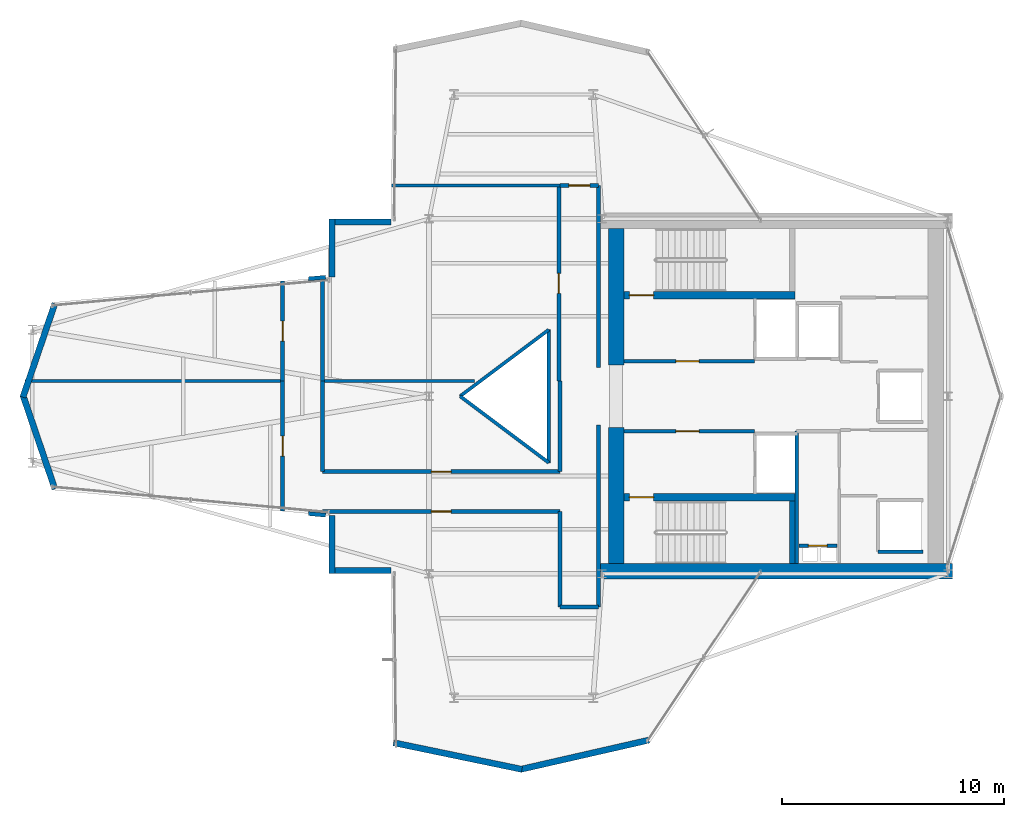
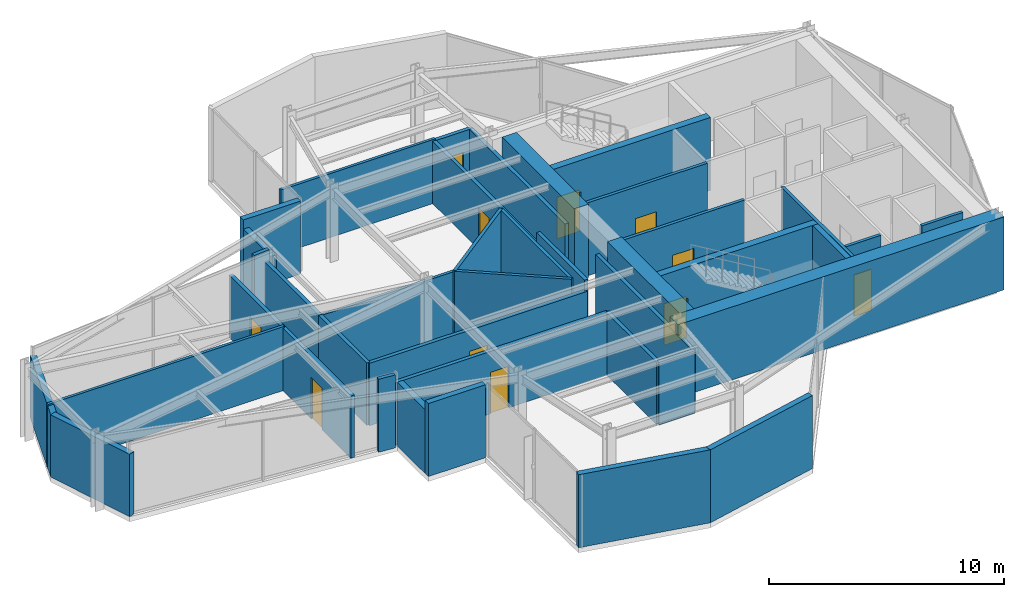
# One storey, part 20 of 22: 40 walls, 11 doors, 11 openings.
"""IFC4 building model written with IfcOpenShell, lengths in metres."""

from ifc_helpers import new_model, si_unit, direction, frame, frame_2d, origin, place, context, subcontext, project, spatial, rectangle, extrude, material, layer, layer_set, type_object, element, fill, save


model = new_model("IFC4")

# Units and contexts
model_context = context("Model", 3, precision=1e-05, world=origin(), true_north=direction((0.0, 1.0)))
body_context = subcontext(model_context, "Body", "Model", "MODEL_VIEW")
ifc_project = project(units=[si_unit("LENGTHUNIT", "METRE"), si_unit("AREAUNIT", "SQUARE_METRE"), si_unit("VOLUMEUNIT", "CUBIC_METRE"), si_unit("PLANEANGLEUNIT", "RADIAN"), si_unit("MASSUNIT", "GRAM", prefix="KILO")], contexts=[model_context])

# Site, building, storey
site_placement = place(None, origin())
site = spatial("IfcSite", under=ifc_project, at=site_placement, CompositionType="ELEMENT")
building_placement = place(site_placement, origin())
building = spatial("IfcBuilding", under=site, at=building_placement, Name="Veymaron Broadcast Tower", CompositionType="ELEMENT")
storey_placement = place(building_placement, frame((0.0, 0.0, 208.050048828125)))
storey = spatial("IfcBuildingStorey", under=building, at=storey_placement, Name="L48", CompositionType="ELEMENT", Elevation=208.050048828125)

# Walls
ifc_material_1 = material(Name="Precast concrete C40/50", Category="concrete")
ifc_layer_1 = layer(ifc_material_1, 0.280029296875)
ifc_layer_set_1 = layer_set([ifc_layer_1], Name="Precast concrete C40/50")
wall_type_1 = type_object("IfcWallType", Name="WALL-EXT-280", PredefinedType="STANDARD", material=ifc_layer_set_1)
wall_1_placement = place(storey_placement, frame((29.489013671875, 31.860107421875, 0.0), z_axis=(0.0, 0.0, 1.0), x_axis=(-1.0, 0.0, 0.0)))
element("IfcWall", 1, at=wall_1_placement, inside=storey, type_object=wall_type_1, Name="L48 notched corner facade pier 9-1", PredefinedType="STANDARD", context=body_context, shape_type="SweptSolid", body=[
    extrude(rectangle(XDim=2.80908203125, YDim=0.280029296875, at=frame_2d((1.404541015625, 0.0))), origin(), (0.0, 0.0, 1.0), 3.7900390625),
])
wall_2_placement = place(storey_placement, frame((26.820068359375, 32.0, 0.0), z_axis=(0.0, 0.0, 1.0), x_axis=(0.0, -1.0, 0.0)))
element("IfcWall", 2, at=wall_2_placement, inside=storey, type_object=wall_type_1, Name="L48 notched corner facade pier 10-1", PredefinedType="STANDARD", context=body_context, shape_type="SweptSolid", body=[
    extrude(rectangle(XDim=2.622314453125, YDim=0.280029296875, at=frame_2d((1.31103515625, 0.0))), origin(), (0.0, 0.0, 1.0), 3.31884765625),
])
for number, where, z_axis, x_axis, name in (
    (3, (14.33251953125, 28.181884765625, 0.0), (0.0, 0.0, 1.0), (-0.322453512009, -0.946585301277, 0.0), "L48 notched corner facade pier 12-1"),
    (4, (12.892578125, 24.045166015625, 0.0), (0.0, 0.0, 1.0), (0.322453512009, -0.946585301277, 0.0), "L48 notched corner facade pier 13-1"),
):
    element("IfcWall", number, at=place(storey_placement, frame(where, z_axis=z_axis, x_axis=x_axis)), inside=storey, type_object=wall_type_1, Name=name, PredefinedType="STANDARD", context=body_context, shape_type="SweptSolid", body=[
        extrude(rectangle(XDim=4.465576171875, YDim=0.280029296875, at=frame_2d((2.23291015625, 0.0))), origin(), (0.0, 0.0, 1.0), 3.240966796875),
    ])
wall_3_placement = place(storey_placement, frame((26.820068359375, 18.622314453125, 0.0), z_axis=(0.0, 0.0, 1.0), x_axis=(0.0, -1.0, 0.0)))
element("IfcWall", 5, at=wall_3_placement, inside=storey, type_object=wall_type_1, Name="L48 notched corner facade pier 15-1", PredefinedType="STANDARD", context=body_context, shape_type="SweptSolid", body=[
    extrude(rectangle(XDim=2.622314453125, YDim=0.280029296875, at=frame_2d((1.31103515625, 0.0))), origin(), (0.0, 0.0, 1.0), 3.31884765625),
])
wall_4_placement = place(storey_placement, frame((26.679931640625, 16.139892578125, 0.0), z_axis=(0.0, 0.0, 1.0), x_axis=(1.0, 0.0, 0.0)))
element("IfcWall", 6, at=wall_4_placement, inside=storey, type_object=wall_type_1, Name="L48 notched corner facade pier 16-1", PredefinedType="STANDARD", context=body_context, shape_type="SweptSolid", body=[
    extrude(rectangle(XDim=2.80908203125, YDim=0.280029296875, at=frame_2d((1.404541015625, 0.0))), origin(), (0.0, 0.0, 1.0), 3.7900390625),
])
wall_5_placement = place(storey_placement, frame((29.60400390625, 8.377197265625, 0.0), z_axis=(0.0, 0.0, 1.0), x_axis=(0.979145472124, -0.203160390873, 0.0)))
element("IfcWall", 7, at=wall_5_placement, inside=storey, type_object=wall_type_1, Name="L48 notched corner facade pier 18-1", PredefinedType="STANDARD", context=body_context, shape_type="SweptSolid", body=[
    extrude(rectangle(XDim=5.90771484375, YDim=0.280029296875, at=frame_2d((2.953857421875, 0.0))), origin(), (0.0, 0.0, 1.0), 3.7900390625),
])
wall_6_placement = place(storey_placement, frame((35.328857421875, 7.176513671875, 0.0), z_axis=(0.0, 0.0, 1.0), x_axis=(0.974934808954, 0.222490715064, 0.0)))
element("IfcWall", 8, at=wall_6_placement, inside=storey, type_object=wall_type_1, Name="L48 notched corner facade pier 19-1", PredefinedType="STANDARD", context=body_context, shape_type="SweptSolid", body=[
    extrude(rectangle(XDim=5.93310546875, YDim=0.280029296875, at=frame_2d((2.966552734375, 0.0))), origin(), (0.0, 0.0, 1.0), 3.7900390625),
])

# Wall, opening, door
ifc_material_2 = material(Name="Gypsum fireboard and steel stud framing", Category="steel")
ifc_layer_2 = layer(ifc_material_2, 0.14990234375)
ifc_layer_set_2 = layer_set([ifc_layer_2], Name="Gypsum fireboard and steel stud framing")
wall_type_2 = type_object("IfcWallType", Name="WALL-FIRE-150", PredefinedType="PARTITIONING", material=ifc_layer_set_2)
wall_7_placement = place(storey_placement, frame((39.97998046875, 25.574951171875, 0.0), z_axis=(0.0, 0.0, 1.0), x_axis=(1.0, 0.0, 0.0)))
wall_7 = element("IfcWall", 9, at=wall_7_placement, inside=storey, type_object=wall_type_2, Name="L48 partition IW-L48-FFLN-S", PredefinedType="PARTITIONING", context=body_context, shape_type="SweptSolid", body=[
    extrude(rectangle(XDim=5.89990234375, YDim=0.14990234375, at=frame_2d((2.949951171875, 0.0))), origin(), (0.0, 0.0, 1.0), 3.7900390625),
])
opening_1_placement = place(wall_7_placement, frame((2.35009765625, 0.0, 0.0)))
opening_1 = element("IfcOpeningElement", 10, at=opening_1_placement, cuts=wall_7, Name="Opening ID-FL1", PredefinedType="OPENING", context=body_context, shape_type="SweptSolid", body=[
    extrude(rectangle(XDim=1.050048828125, YDim=2.14990234375, at=frame_2d((0.52490234375, 1.074951171875))), frame((0.0, 0.0849609375, 0.0), z_axis=(0.0, -1.0, 0.0), x_axis=(1.0, 0.0, 0.0)), (0.0, 0.0, 1.0), 0.169921875),
])
ifc_material_3 = material(Name="Fire-rated painted hollow steel ASTM A653", Category="steel")
door_type_1 = type_object("IfcDoorType", Name="DOOR-FIRE-1050", OperationType="NOTDEFINED", PredefinedType="DOOR", material=ifc_material_3)
door_1_placement = place(opening_1_placement, origin())
door_1 = element("IfcDoor", 11, at=door_1_placement, inside=storey, type_object=door_type_1, Name="L48 door DR-L48-FFLN", OperationType="SINGLE_SWING_LEFT", OverallHeight=2.14990234375, OverallWidth=1.050048828125, PredefinedType="DOOR", context=body_context, shape_type="SweptSolid", body=[
    extrude(rectangle(XDim=1.050048828125, YDim=2.14990234375, at=frame_2d((0.52490234375, 1.074951171875))), frame((0.0, 0.02490234375, 0.0), z_axis=(0.0, -1.0, 0.0), x_axis=(1.0, 0.0, 0.0)), (0.0, 0.0, 1.0), 0.050048828125),
])
fill(opening_1, door_1)

wall_8_placement = place(storey_placement, frame((39.97998046875, 22.425048828125, 0.0), z_axis=(0.0, 0.0, 1.0), x_axis=(1.0, 0.0, 0.0)))
wall_8 = element("IfcWall", 12, at=wall_8_placement, inside=storey, type_object=wall_type_2, Name="L48 partition IW-L48-FFLS-N", PredefinedType="PARTITIONING", context=body_context, shape_type="SweptSolid", body=[
    extrude(rectangle(XDim=5.89990234375, YDim=0.14990234375, at=frame_2d((2.949951171875, 0.0))), origin(), (0.0, 0.0, 1.0), 3.7900390625),
])
opening_2_placement = place(wall_8_placement, frame((2.35009765625, 0.0, 0.0)))
opening_2 = element("IfcOpeningElement", 13, at=opening_2_placement, cuts=wall_8, Name="Opening ID-FL1", PredefinedType="OPENING", context=body_context, shape_type="SweptSolid", body=[
    extrude(rectangle(XDim=1.050048828125, YDim=2.14990234375, at=frame_2d((0.52490234375, 1.074951171875))), frame((0.0, 0.0849609375, 0.0), z_axis=(0.0, -1.0, 0.0), x_axis=(1.0, 0.0, 0.0)), (0.0, 0.0, 1.0), 0.169921875),
])
door_2_placement = place(opening_2_placement, frame((1.050048828125, 0.0, 0.0), z_axis=(0.0, 0.0, 1.0), x_axis=(-1.0, 0.0, 0.0)))
door_2 = element("IfcDoor", 14, at=door_2_placement, inside=storey, type_object=door_type_1, Name="L48 door DR-L48-FFLS", OperationType="SINGLE_SWING_RIGHT", OverallHeight=2.14990234375, OverallWidth=1.050048828125, PredefinedType="DOOR", context=body_context, shape_type="SweptSolid", body=[
    extrude(rectangle(XDim=1.050048828125, YDim=2.14990234375, at=frame_2d((0.52490234375, 1.074951171875))), frame((0.0, 0.02490234375, 0.0), z_axis=(0.0, -1.0, 0.0), x_axis=(1.0, 0.0, 0.0)), (0.0, 0.0, 1.0), 0.050048828125),
])
fill(opening_2, door_2)

# Wall
wall_9_placement = place(storey_placement, frame((51.445068359375, 16.989990234375, 0.0), z_axis=(0.0, 0.0, 1.0), x_axis=(1.0, 0.0, 0.0)))
element("IfcWall", 15, at=wall_9_placement, inside=storey, type_object=wall_type_2, Name="L48 partition IW-L48-SHS-PH1", PredefinedType="PARTITIONING", context=body_context, shape_type="SweptSolid", body=[
    extrude(rectangle(XDim=2.014892578125, YDim=0.14990234375, at=frame_2d((1.00732421875, 0.0))), origin(), (0.0, 0.0, 1.0), 3.7900390625),
])

# Wall, opening, door
wall_10_placement = place(storey_placement, frame((47.8798828125, 17.260009765625, 0.0), z_axis=(0.0, 0.0, 1.0), x_axis=(1.0, 0.0, 0.0)))
wall_10 = element("IfcWall", 16, at=wall_10_placement, inside=storey, type_object=wall_type_2, Name="L48 partition IW-L48-RIS-N", PredefinedType="PARTITIONING", context=body_context, shape_type="SweptSolid", body=[
    extrude(rectangle(XDim=1.72021484375, YDim=0.14990234375, at=frame_2d((0.860107421875, 0.0))), origin(), (0.0, 0.0, 1.0), 3.7900390625),
])
opening_3_placement = place(wall_10_placement, frame((0.419921875, 0.0, 0.0)))
opening_3 = element("IfcOpeningElement", 17, at=opening_3_placement, cuts=wall_10, Name="Opening ID-RS1", PredefinedType="OPENING", context=body_context, shape_type="SweptSolid", body=[
    extrude(rectangle(XDim=0.85009765625, YDim=2.14990234375, at=frame_2d((0.425048828125, 1.074951171875))), frame((0.0, 0.0849609375, 0.0), z_axis=(0.0, -1.0, 0.0), x_axis=(1.0, 0.0, 0.0)), (0.0, 0.0, 1.0), 0.169921875),
])
ifc_material_4 = material(Name="Fire-rated powder-coated steel riser leaf", Category="steel")
door_type_2 = type_object("IfcDoorType", Name="DOOR-RIS-850", OperationType="NOTDEFINED", PredefinedType="TRAPDOOR", material=ifc_material_4)
door_3_placement = place(opening_3_placement, origin())
door_3 = element("IfcDoor", 18, at=door_3_placement, inside=storey, type_object=door_type_2, Name="L48 door DR-L48-RIS", OperationType="SINGLE_SWING_LEFT", OverallHeight=2.14990234375, OverallWidth=0.85009765625, PredefinedType="TRAPDOOR", context=body_context, shape_type="SweptSolid", body=[
    extrude(rectangle(XDim=0.85009765625, YDim=2.14990234375, at=frame_2d((0.425048828125, 1.074951171875))), frame((0.0, 0.02490234375, 0.0), z_axis=(0.0, -1.0, 0.0), x_axis=(1.0, 0.0, 0.0)), (0.0, 0.0, 1.0), 0.050048828125),
])
fill(opening_3, door_3)

# Wall
wall_11_placement = place(storey_placement, frame((47.780029296875, 16.449951171875, 0.0), z_axis=(0.0, 0.0, 1.0), x_axis=(0.0, 1.0, 0.0)))
element("IfcWall", 19, at=wall_11_placement, inside=storey, type_object=wall_type_2, Name="L48 partition IW-L48-SM-W", PredefinedType="PARTITIONING", context=body_context, shape_type="SweptSolid", body=[
    extrude(rectangle(XDim=5.97509765625, YDim=0.14990234375, at=frame_2d((2.987548828125, 0.0))), origin(), (0.0, 0.0, 1.0), 3.7900390625),
])

# Wall, opening, door
ifc_material_5 = material(Name="Concrete C40/50", Category="concrete")
ifc_layer_3 = layer(ifc_material_5, 0.179931640625)
ifc_layer_set_3 = layer_set([ifc_layer_3], Name="Concrete C40/50")
wall_type_3 = type_object("IfcWallType", Name="WALL-FIRE-180", PredefinedType="SOLIDWALL", material=ifc_layer_set_3)
wall_12_placement = place(storey_placement, frame((26.39990234375, 18.800048828125, 0.0), z_axis=(0.0, 0.0, 1.0), x_axis=(1.0, 0.0, 0.0)))
wall_12 = element("IfcWall", 20, at=wall_12_placement, inside=storey, type_object=wall_type_3, Name="L48 partition IW-L48-P01", PredefinedType="SOLIDWALL", context=body_context, shape_type="SweptSolid", body=[
    extrude(rectangle(XDim=10.7001953125, YDim=0.179931640625, at=frame_2d((5.35009765625, 0.0))), origin(), (0.0, 0.0, 1.0), 3.240966796875),
])
opening_4_placement = place(wall_12_placement, frame((4.89990234375, 0.0, 0.0)))
opening_4 = element("IfcOpeningElement", 21, at=opening_4_placement, cuts=wall_12, Name="Opening ID-RM2", PredefinedType="OPENING", context=body_context, shape_type="SweptSolid", body=[
    extrude(rectangle(XDim=0.89990234375, YDim=2.14990234375, at=frame_2d((0.449951171875, 1.074951171875))), frame((0.0, 0.10009765625, 0.0), z_axis=(0.0, -1.0, 0.0), x_axis=(1.0, 0.0, 0.0)), (0.0, 0.0, 1.0), 0.199951171875),
])
ifc_material_6 = material(Name="Acoustic solid-core European oak veneer timber", Category="wood")
door_type_3 = type_object("IfcDoorType", Name="DOOR-INT-900", OperationType="NOTDEFINED", PredefinedType="DOOR", material=ifc_material_6)
door_4_placement = place(opening_4_placement, frame((0.89990234375, 0.0, 0.0), z_axis=(0.0, 0.0, 1.0), x_axis=(-1.0, 0.0, 0.0)))
door_4 = element("IfcDoor", 22, at=door_4_placement, inside=storey, type_object=door_type_3, Name="L48 door DR-L48-P01", OperationType="SINGLE_SWING_RIGHT", OverallHeight=2.14990234375, OverallWidth=0.89990234375, PredefinedType="DOOR", context=body_context, shape_type="SweptSolid", body=[
    extrude(rectangle(XDim=0.89990234375, YDim=2.14990234375, at=frame_2d((0.449951171875, 1.074951171875))), frame((0.0, 0.02490234375, 0.0), z_axis=(0.0, -1.0, 0.0), x_axis=(1.0, 0.0, 0.0)), (0.0, 0.0, 1.0), 0.050048828125),
])
fill(opening_4, door_4)

wall_13_placement = place(storey_placement, frame((24.60009765625, 18.814208984375, 0.0), z_axis=(0.0, 0.0, 1.0), x_axis=(0.0, 1.0, 0.0)))
wall_13 = element("IfcWall", 23, at=wall_13_placement, inside=storey, type_object=wall_type_3, Name="L48 partition IW-L48-P06", PredefinedType="SOLIDWALL", context=body_context, shape_type="SweptSolid", body=[
    extrude(rectangle(XDim=5.86376953125, YDim=0.179931640625, at=frame_2d((2.931884765625, 0.0))), origin(), (0.0, 0.0, 1.0), 3.240966796875),
])
opening_5_placement = place(wall_13_placement, frame((2.48193359375, 0.0, 0.0)))
opening_5 = element("IfcOpeningElement", 24, at=opening_5_placement, cuts=wall_13, Name="Opening ID-RM2", PredefinedType="OPENING", context=body_context, shape_type="SweptSolid", body=[
    extrude(rectangle(XDim=0.89990234375, YDim=2.14990234375, at=frame_2d((0.449951171875, 1.074951171875))), frame((0.0, 0.10009765625, 0.0), z_axis=(0.0, -1.0, 0.0), x_axis=(1.0, 0.0, 0.0)), (0.0, 0.0, 1.0), 0.199951171875),
])
door_5_placement = place(opening_5_placement, origin())
door_5 = element("IfcDoor", 25, at=door_5_placement, inside=storey, type_object=door_type_3, Name="L48 door DR-L48-P06", OperationType="SINGLE_SWING_LEFT", OverallHeight=2.14990234375, OverallWidth=0.89990234375, PredefinedType="DOOR", context=body_context, shape_type="SweptSolid", body=[
    extrude(rectangle(XDim=0.89990234375, YDim=2.14990234375, at=frame_2d((0.449951171875, 1.074951171875))), frame((0.0, 0.02490234375, 0.0), z_axis=(0.0, -1.0, 0.0), x_axis=(1.0, 0.0, 0.0)), (0.0, 0.0, 1.0), 0.050048828125),
])
fill(opening_5, door_5)

wall_14_placement = place(storey_placement, frame((26.39990234375, 20.60009765625, 0.0), z_axis=(0.0, 0.0, 1.0), x_axis=(1.0, 0.0, 0.0)))
wall_14 = element("IfcWall", 26, at=wall_14_placement, inside=storey, type_object=wall_type_3, Name="L48 partition IW-L48-P07", PredefinedType="SOLIDWALL", context=body_context, shape_type="SweptSolid", body=[
    extrude(rectangle(XDim=10.7001953125, YDim=0.179931640625, at=frame_2d((5.35009765625, 0.0))), origin(), (0.0, 0.0, 1.0), 3.240966796875),
])
opening_6_placement = place(wall_14_placement, frame((4.89990234375, 0.0, 0.0)))
opening_6 = element("IfcOpeningElement", 27, at=opening_6_placement, cuts=wall_14, Name="Opening ID-RM2", PredefinedType="OPENING", context=body_context, shape_type="SweptSolid", body=[
    extrude(rectangle(XDim=0.89990234375, YDim=2.14990234375, at=frame_2d((0.449951171875, 1.074951171875))), frame((0.0, 0.10009765625, 0.0), z_axis=(0.0, -1.0, 0.0), x_axis=(1.0, 0.0, 0.0)), (0.0, 0.0, 1.0), 0.199951171875),
])
door_6_placement = place(opening_6_placement, origin())
door_6 = element("IfcDoor", 28, at=door_6_placement, inside=storey, type_object=door_type_3, Name="L48 door DR-L48-P07", OperationType="SINGLE_SWING_RIGHT", OverallHeight=2.14990234375, OverallWidth=0.89990234375, PredefinedType="DOOR", context=body_context, shape_type="SweptSolid", body=[
    extrude(rectangle(XDim=0.89990234375, YDim=2.14990234375, at=frame_2d((0.449951171875, 1.074951171875))), frame((0.0, 0.02490234375, 0.0), z_axis=(0.0, -1.0, 0.0), x_axis=(1.0, 0.0, 0.0)), (0.0, 0.0, 1.0), 0.050048828125),
])
fill(opening_6, door_6)

wall_15_placement = place(storey_placement, frame((24.60009765625, 24.677978515625, 0.0), z_axis=(0.0, 0.0, 1.0), x_axis=(0.0, 1.0, 0.0)))
wall_15 = element("IfcWall", 29, at=wall_15_placement, inside=storey, type_object=wall_type_3, Name="L48 partition IW-L48-P10", PredefinedType="SOLIDWALL", context=body_context, shape_type="SweptSolid", body=[
    extrude(rectangle(XDim=4.5078125, YDim=0.179931640625, at=frame_2d((2.25390625, 0.0))), origin(), (0.0, 0.0, 1.0), 3.240966796875),
])
opening_7_placement = place(wall_15_placement, frame((1.803955078125, 0.0, 0.0)))
opening_7 = element("IfcOpeningElement", 30, at=opening_7_placement, cuts=wall_15, Name="Opening ID-RM2", PredefinedType="OPENING", context=body_context, shape_type="SweptSolid", body=[
    extrude(rectangle(XDim=0.89990234375, YDim=2.14990234375, at=frame_2d((0.449951171875, 1.074951171875))), frame((0.0, 0.10009765625, 0.0), z_axis=(0.0, -1.0, 0.0), x_axis=(1.0, 0.0, 0.0)), (0.0, 0.0, 1.0), 0.199951171875),
])
door_7_placement = place(opening_7_placement, origin())
door_7 = element("IfcDoor", 31, at=door_7_placement, inside=storey, type_object=door_type_3, Name="L48 door DR-L48-P10", OperationType="SINGLE_SWING_LEFT", OverallHeight=2.14990234375, OverallWidth=0.89990234375, PredefinedType="DOOR", context=body_context, shape_type="SweptSolid", body=[
    extrude(rectangle(XDim=0.89990234375, YDim=2.14990234375, at=frame_2d((0.449951171875, 1.074951171875))), frame((0.0, 0.02490234375, 0.0), z_axis=(0.0, -1.0, 0.0), x_axis=(1.0, 0.0, 0.0)), (0.0, 0.0, 1.0), 0.050048828125),
])
fill(opening_7, door_7)

wall_16_placement = place(storey_placement, frame((37.050048828125, 24.677978515625, 0.0), z_axis=(0.0, 0.0, 1.0), x_axis=(0.0, 1.0, 0.0)))
wall_16 = element("IfcWall", 32, at=wall_16_placement, inside=storey, type_object=wall_type_3, Name="L48 partition IW-L48-P11", PredefinedType="SOLIDWALL", context=body_context, shape_type="SweptSolid", body=[
    extrude(rectangle(XDim=8.820068359375, YDim=0.179931640625, at=frame_2d((4.41015625, 0.0))), origin(), (0.0, 0.0, 1.0), 3.240966796875),
])
opening_8_placement = place(wall_16_placement, frame((3.9599609375, 0.0, 0.0)))
opening_8 = element("IfcOpeningElement", 33, at=opening_8_placement, cuts=wall_16, Name="Opening ID-RM2", PredefinedType="OPENING", context=body_context, shape_type="SweptSolid", body=[
    extrude(rectangle(XDim=0.89990234375, YDim=2.14990234375, at=frame_2d((0.449951171875, 1.074951171875))), frame((0.0, 0.10009765625, 0.0), z_axis=(0.0, -1.0, 0.0), x_axis=(1.0, 0.0, 0.0)), (0.0, 0.0, 1.0), 0.199951171875),
])
door_8_placement = place(opening_8_placement, origin())
door_8 = element("IfcDoor", 34, at=door_8_placement, inside=storey, type_object=door_type_3, Name="L48 door DR-L48-P11", OperationType="SINGLE_SWING_RIGHT", OverallHeight=2.14990234375, OverallWidth=0.89990234375, PredefinedType="DOOR", context=body_context, shape_type="SweptSolid", body=[
    extrude(rectangle(XDim=0.89990234375, YDim=2.14990234375, at=frame_2d((0.449951171875, 1.074951171875))), frame((0.0, 0.02490234375, 0.0), z_axis=(0.0, -1.0, 0.0), x_axis=(1.0, 0.0, 0.0)), (0.0, 0.0, 1.0), 0.050048828125),
])
fill(opening_8, door_8)

wall_17_placement = place(storey_placement, frame((37.10009765625, 33.5, 0.0), z_axis=(0.0, 0.0, 1.0), x_axis=(1.0, 0.0, 0.0)))
wall_17 = element("IfcWall", 35, at=wall_17_placement, inside=storey, type_object=wall_type_3, Name="L48 partition IW-L48-P15", PredefinedType="SOLIDWALL", context=body_context, shape_type="SweptSolid", body=[
    extrude(rectangle(XDim=1.75, YDim=0.179931640625, at=frame_2d((0.875, 0.0))), origin(), (0.0, 0.0, 1.0), 3.240966796875),
])
opening_9_placement = place(wall_17_placement, frame((0.39990234375, 0.0, 0.0)))
opening_9 = element("IfcOpeningElement", 36, at=opening_9_placement, cuts=wall_17, Name="Opening ID-RM1", PredefinedType="OPENING", context=body_context, shape_type="SweptSolid", body=[
    extrude(rectangle(XDim=0.949951171875, YDim=2.14990234375, at=frame_2d((0.47509765625, 1.074951171875))), frame((0.0, 0.10009765625, 0.0), z_axis=(0.0, -1.0, 0.0), x_axis=(1.0, 0.0, 0.0)), (0.0, 0.0, 1.0), 0.199951171875),
])
door_type_4 = type_object("IfcDoorType", Name="DOOR-INT-950", OperationType="NOTDEFINED", PredefinedType="DOOR", material=ifc_material_6)
door_9_placement = place(opening_9_placement, origin())
door_9 = element("IfcDoor", 37, at=door_9_placement, inside=storey, type_object=door_type_4, Name="L48 door DR-L48-P15", OperationType="SINGLE_SWING_RIGHT", OverallHeight=2.14990234375, OverallWidth=0.949951171875, PredefinedType="DOOR", context=body_context, shape_type="SweptSolid", body=[
    extrude(rectangle(XDim=0.949951171875, YDim=2.14990234375, at=frame_2d((0.47509765625, 1.074951171875))), frame((0.0, 0.02490234375, 0.0), z_axis=(0.0, -1.0, 0.0), x_axis=(1.0, 0.0, 0.0)), (0.0, 0.0, 1.0), 0.050048828125),
])
fill(opening_9, door_9)

# Walls
wall_18_placement = place(storey_placement, frame((38.85009765625, 14.5, 0.0), z_axis=(0.0, 0.0, 1.0), x_axis=(0.0, 1.0, 0.0)))
element("IfcWall", 38, at=wall_18_placement, inside=storey, type_object=wall_type_3, Name="L48 partition IW-L48-P02", PredefinedType="SOLIDWALL", context=body_context, shape_type="SweptSolid", body=[
    extrude(rectangle(XDim=8.199951171875, YDim=0.179931640625, at=frame_2d((4.10009765625, 0.0))), origin(), (0.0, 0.0, 1.0), 3.240966796875),
])
wall_19_placement = place(storey_placement, frame((37.10009765625, 14.5, 0.0), z_axis=(0.0, 0.0, 1.0), x_axis=(0.0, 1.0, 0.0)))
element("IfcWall", 39, at=wall_19_placement, inside=storey, type_object=wall_type_3, Name="L48 partition IW-L48-P03", PredefinedType="SOLIDWALL", context=body_context, shape_type="SweptSolid", body=[
    extrude(rectangle(XDim=4.300048828125, YDim=0.179931640625, at=frame_2d((2.14990234375, 0.0))), origin(), (0.0, 0.0, 1.0), 3.240966796875),
])
wall_20_placement = place(storey_placement, frame((37.10009765625, 14.5, 0.0), z_axis=(0.0, 0.0, 1.0), x_axis=(1.0, 0.0, 0.0)))
element("IfcWall", 40, at=wall_20_placement, inside=storey, type_object=wall_type_3, Name="L48 partition IW-L48-P04", PredefinedType="SOLIDWALL", context=body_context, shape_type="SweptSolid", body=[
    extrude(rectangle(XDim=1.75, YDim=0.179931640625, at=frame_2d((0.875, 0.0))), origin(), (0.0, 0.0, 1.0), 3.240966796875),
])
wall_21_placement = place(storey_placement, frame((25.764892578125, 18.706787109375, 0.0), z_axis=(0.0, 0.0, 1.0), x_axis=(0.995774178655, -0.091835641909, 0.0)))
element("IfcWall", 41, at=wall_21_placement, inside=storey, type_object=wall_type_3, Name="L48 partition IW-L48-P05", PredefinedType="SOLIDWALL", context=body_context, shape_type="SweptSolid", body=[
    extrude(rectangle(XDim=0.77880859375, YDim=0.179931640625, at=frame_2d((0.389404296875, 0.0))), origin(), (0.0, 0.0, 1.0), 3.7900390625),
])
wall_22_placement = place(storey_placement, frame((26.39990234375, 20.60009765625, 0.0), z_axis=(0.0, 0.0, 1.0), x_axis=(0.0, 1.0, 0.0)))
element("IfcWall", 42, at=wall_22_placement, inside=storey, type_object=wall_type_3, Name="L48 partition IW-L48-P08", PredefinedType="SOLIDWALL", context=body_context, shape_type="SweptSolid", body=[
    extrude(rectangle(XDim=4.077880859375, YDim=0.179931640625, at=frame_2d((2.0390625, 0.0))), origin(), (0.0, 0.0, 1.0), 3.240966796875),
])
wall_23_placement = place(storey_placement, frame((37.10009765625, 20.60009765625, 0.0), z_axis=(0.0, 0.0, 1.0), x_axis=(0.0, 1.0, 0.0)))
element("IfcWall", 43, at=wall_23_placement, inside=storey, type_object=wall_type_3, Name="L48 partition IW-L48-P09", PredefinedType="SOLIDWALL", context=body_context, shape_type="SweptSolid", body=[
    extrude(rectangle(XDim=4.077880859375, YDim=0.179931640625, at=frame_2d((2.0390625, 0.0))), origin(), (0.0, 0.0, 1.0), 3.7900390625),
])
wall_24_placement = place(storey_placement, frame((26.39990234375, 24.677978515625, 0.0), z_axis=(0.0, 0.0, 1.0), x_axis=(0.0, 1.0, 0.0)))
element("IfcWall", 44, at=wall_24_placement, inside=storey, type_object=wall_type_3, Name="L48 partition IW-L48-P12", PredefinedType="SOLIDWALL", context=body_context, shape_type="SweptSolid", body=[
    extrude(rectangle(XDim=4.673828125, YDim=0.179931640625, at=frame_2d((2.3369140625, 0.0))), origin(), (0.0, 0.0, 1.0), 3.240966796875),
])
wall_25_placement = place(storey_placement, frame((25.764892578125, 29.293212890625, 0.0), z_axis=(0.0, 0.0, 1.0), x_axis=(0.995774178655, 0.091835641909, 0.0)))
element("IfcWall", 45, at=wall_25_placement, inside=storey, type_object=wall_type_3, Name="L48 partition IW-L48-P13", PredefinedType="SOLIDWALL", context=body_context, shape_type="SweptSolid", body=[
    extrude(rectangle(XDim=0.77880859375, YDim=0.179931640625, at=frame_2d((0.389404296875, 0.0))), origin(), (0.0, 0.0, 1.0), 3.7900390625),
])
wall_26_placement = place(storey_placement, frame((38.85009765625, 25.300048828125, 0.0), z_axis=(0.0, 0.0, 1.0), x_axis=(0.0, 1.0, 0.0)))
element("IfcWall", 46, at=wall_26_placement, inside=storey, type_object=wall_type_3, Name="L48 partition IW-L48-P14", PredefinedType="SOLIDWALL", context=body_context, shape_type="SweptSolid", body=[
    extrude(rectangle(XDim=8.197998046875, YDim=0.179931640625, at=frame_2d((4.09912109375, 0.0))), origin(), (0.0, 0.0, 1.0), 3.240966796875),
])
ifc_material_7 = material(Name="Fire-rated laminated glass in aluminium frame", Category="aluminium")
ifc_layer_4 = layer(ifc_material_7, 0.14990234375)
ifc_layer_set_4 = layer_set([ifc_layer_4], Name="Fire-rated laminated glass in aluminium frame")
wall_type_4 = type_object("IfcWallType", Name="WALL-GLZ-150", PredefinedType="MOVABLE", material=ifc_layer_set_4)
wall_27_placement = place(storey_placement, frame((32.60009765625, 24.0, 0.0), z_axis=(0.0, 0.0, 1.0), x_axis=(0.8, -0.6, 0.0)))
element("IfcWall", 47, at=wall_27_placement, inside=storey, type_object=wall_type_4, Name="L48 partition IW-L48-ATR1", PredefinedType="MOVABLE", context=body_context, shape_type="SweptSolid", body=[
    extrude(rectangle(XDim=5.0, YDim=0.14990234375, at=frame_2d((2.5, 0.0))), origin(), (0.0, 0.0, 1.0), 3.7900390625),
])
wall_28_placement = place(storey_placement, frame((36.60009765625, 21.0, 0.0), z_axis=(0.0, 0.0, 1.0), x_axis=(0.0, 1.0, 0.0)))
element("IfcWall", 48, at=wall_28_placement, inside=storey, type_object=wall_type_4, Name="L48 partition IW-L48-ATR2", PredefinedType="MOVABLE", context=body_context, shape_type="SweptSolid", body=[
    extrude(rectangle(XDim=6.0, YDim=0.14990234375, at=frame_2d((3.0, 0.0))), origin(), (0.0, 0.0, 1.0), 3.7900390625),
])
wall_29_placement = place(storey_placement, frame((36.60009765625, 27.0, 0.0), z_axis=(0.0, 0.0, 1.0), x_axis=(-0.8, -0.6, 0.0)))
element("IfcWall", 49, at=wall_29_placement, inside=storey, type_object=wall_type_4, Name="L48 partition IW-L48-ATR3", PredefinedType="MOVABLE", context=body_context, shape_type="SweptSolid", body=[
    extrude(rectangle(XDim=5.0, YDim=0.14990234375, at=frame_2d((2.5, 0.0))), origin(), (0.0, 0.0, 1.0), 3.7900390625),
])
ifc_material_8 = material(Name="Double-layer acoustic gypsum and stud", Category="gypsum")
ifc_layer_5 = layer(ifc_material_8, 0.135009765625)
ifc_layer_set_5 = layer_set([ifc_layer_5], Name="Double-layer acoustic gypsum and stud")
wall_type_5 = type_object("IfcWallType", Name="WALL-PART-135", PredefinedType="PARTITIONING", material=ifc_layer_set_5)
wall_30_placement = place(storey_placement, frame((12.990966796875, 24.677978515625, 0.0), z_axis=(0.0, 0.0, 1.0), x_axis=(1.0, 0.0, 0.0)))
element("IfcWall", 50, at=wall_30_placement, inside=storey, type_object=wall_type_5, Name="L48 partition IW-L48-P16", PredefinedType="PARTITIONING", context=body_context, shape_type="SweptSolid", body=[
    extrude(rectangle(XDim=11.609130859375, YDim=0.135009765625, at=frame_2d((5.8046875, 0.0))), origin(), (0.0, 0.0, 1.0), 3.31884765625),
])
wall_31_placement = place(storey_placement, frame((26.39990234375, 24.677978515625, 0.0), z_axis=(0.0, 0.0, 1.0), x_axis=(1.0, 0.0, 0.0)))
element("IfcWall", 51, at=wall_31_placement, inside=storey, type_object=wall_type_5, Name="L48 partition IW-L48-P17", PredefinedType="PARTITIONING", context=body_context, shape_type="SweptSolid", body=[
    extrude(rectangle(XDim=6.85400390625, YDim=0.135009765625, at=frame_2d((3.427001953125, 0.0))), origin(), (0.0, 0.0, 1.0), 3.240966796875),
])
wall_32_placement = place(storey_placement, frame((29.505615234375, 33.498046875, 0.0), z_axis=(0.0, 0.0, 1.0), x_axis=(1.0, 0.0, 0.0)))
element("IfcWall", 52, at=wall_32_placement, inside=storey, type_object=wall_type_5, Name="L48 partition IW-L48-P18", PredefinedType="PARTITIONING", context=body_context, shape_type="SweptSolid", body=[
    extrude(rectangle(XDim=7.594482421875, YDim=0.135009765625, at=frame_2d((3.79736328125, 0.0))), origin(), (0.0, 0.0, 1.0), 3.31884765625),
])
ifc_material_9 = material(Name="Concrete C50/60", Category="concrete")
ifc_layer_6 = layer(ifc_material_9, 0.25)
ifc_layer_set_6 = layer_set([ifc_layer_6], Name="Concrete C50/60")
wall_type_6 = type_object("IfcWallType", Name="WALL-SHEAR-250", PredefinedType="SHEAR", material=ifc_layer_set_6)
wall_33_placement = place(storey_placement, frame((47.56494140625, 16.449951171875, 0.0), z_axis=(0.0, 0.0, 1.0), x_axis=(0.0, 1.0, 0.0)))
element("IfcWall", 53, at=wall_33_placement, inside=storey, type_object=wall_type_6, Name="L48 Core Wall south stair east shear", PredefinedType="SHEAR", context=body_context, shape_type="SweptSolid", body=[
    extrude(rectangle(XDim=2.820068359375, YDim=0.25, at=frame_2d((1.41015625, 0.0))), origin(), (0.0, 0.0, 1.0), 3.7900390625),
])

# Wall, opening, door
ifc_layer_7 = layer(ifc_material_9, 0.35009765625)
ifc_layer_set_7 = layer_set([ifc_layer_7], Name="Concrete C50/60")
wall_type_7 = type_object("IfcWallType", Name="WALL-SHEAR-350", PredefinedType="SHEAR", material=ifc_layer_set_7)
wall_34_placement = place(storey_placement, frame((39.97998046875, 28.554931640625, 0.0), z_axis=(0.0, 0.0, 1.0), x_axis=(1.0, 0.0, 0.0)))
wall_34 = element("IfcWall", 54, at=wall_34_placement, inside=storey, type_object=wall_type_7, Name="L48 Core Wall north stair spine", PredefinedType="SHEAR", context=body_context, shape_type="SweptSolid", body=[
    extrude(rectangle(XDim=7.7099609375, YDim=0.35009765625, at=frame_2d((3.85498046875, 0.0))), origin(), (0.0, 0.0, 1.0), 3.7900390625),
])
opening_10_placement = place(wall_34_placement, frame((0.25, 0.0, 0.0)))
opening_10 = element("IfcOpeningElement", 55, at=opening_10_placement, cuts=wall_34, Name="Opening ID-ST1", PredefinedType="OPENING", context=body_context, shape_type="SweptSolid", body=[
    extrude(rectangle(XDim=1.10009765625, YDim=2.14990234375, at=frame_2d((0.550048828125, 1.074951171875))), frame((0.0, 0.18505859375, 0.0), z_axis=(0.0, -1.0, 0.0), x_axis=(1.0, 0.0, 0.0)), (0.0, 0.0, 1.0), 0.3701171875),
])
door_type_5 = type_object("IfcDoorType", Name="DOOR-STAIR-1100", OperationType="NOTDEFINED", PredefinedType="DOOR", material=ifc_material_3)
door_10_placement = place(opening_10_placement, origin())
door_10 = element("IfcDoor", 56, at=door_10_placement, inside=storey, type_object=door_type_5, Name="L48 exit stair ST1 fire door", OperationType="SINGLE_SWING_LEFT", OverallHeight=2.14990234375, OverallWidth=1.10009765625, PredefinedType="DOOR", context=body_context, shape_type="SweptSolid", body=[
    extrude(rectangle(XDim=1.10009765625, YDim=2.14990234375, at=frame_2d((0.550048828125, 1.074951171875))), frame((0.0, 0.02490234375, 0.0), z_axis=(0.0, -1.0, 0.0), x_axis=(1.0, 0.0, 0.0)), (0.0, 0.0, 1.0), 0.050048828125),
])
fill(opening_10, door_10)

wall_35_placement = place(storey_placement, frame((39.97998046875, 19.445068359375, 0.0), z_axis=(0.0, 0.0, 1.0), x_axis=(1.0, 0.0, 0.0)))
wall_35 = element("IfcWall", 57, at=wall_35_placement, inside=storey, type_object=wall_type_7, Name="L48 Core Wall south stair spine", PredefinedType="SHEAR", context=body_context, shape_type="SweptSolid", body=[
    extrude(rectangle(XDim=7.7099609375, YDim=0.35009765625, at=frame_2d((3.85498046875, 0.0))), origin(), (0.0, 0.0, 1.0), 3.7900390625),
])
opening_11_placement = place(wall_35_placement, frame((0.25, 0.0, 0.0)))
opening_11 = element("IfcOpeningElement", 58, at=opening_11_placement, cuts=wall_35, Name="Opening ID-ST1", PredefinedType="OPENING", context=body_context, shape_type="SweptSolid", body=[
    extrude(rectangle(XDim=1.10009765625, YDim=2.14990234375, at=frame_2d((0.550048828125, 1.074951171875))), frame((0.0, 0.18505859375, 0.0), z_axis=(0.0, -1.0, 0.0), x_axis=(1.0, 0.0, 0.0)), (0.0, 0.0, 1.0), 0.3701171875),
])
door_11_placement = place(opening_11_placement, frame((1.10009765625, 0.0, 0.0), z_axis=(0.0, 0.0, 1.0), x_axis=(-1.0, 0.0, 0.0)))
door_11 = element("IfcDoor", 59, at=door_11_placement, inside=storey, type_object=door_type_5, Name="L48 exit stair ST2 fire door", OperationType="SINGLE_SWING_RIGHT", OverallHeight=2.14990234375, OverallWidth=1.10009765625, PredefinedType="DOOR", context=body_context, shape_type="SweptSolid", body=[
    extrude(rectangle(XDim=1.10009765625, YDim=2.14990234375, at=frame_2d((0.550048828125, 1.074951171875))), frame((0.0, 0.02490234375, 0.0), z_axis=(0.0, -1.0, 0.0), x_axis=(1.0, 0.0, 0.0)), (0.0, 0.0, 1.0), 0.050048828125),
])
fill(opening_11, door_11)

# Walls
ifc_material_10 = material(Name="Concrete C60/75", Category="concrete")
ifc_layer_8 = layer(ifc_material_10, 0.699951171875)
ifc_layer_set_8 = layer_set([ifc_layer_8], Name="Concrete C60/75")
wall_type_8 = type_object("IfcWallType", Name="WALL-SHEAR-700", PredefinedType="SHEAR", material=ifc_layer_set_8)
wall_36_placement = place(storey_placement, frame((38.800048828125, 16.10009765625, 0.0), z_axis=(0.0, 0.0, 1.0), x_axis=(1.0, 0.0, 0.0)))
element("IfcWall", 60, at=wall_36_placement, inside=storey, type_object=wall_type_8, Name="L48 Core Wall south shear", PredefinedType="SHEAR", context=body_context, shape_type="SweptSolid", body=[
    extrude(rectangle(XDim=16.0, YDim=0.699951171875, at=frame_2d((8.0, 0.0))), origin(), (0.0, 0.0, 1.0), 3.7900390625),
])
for number, where, z_axis, x_axis, name in (
    (61, (39.6298828125, 16.449951171875, 0.0), (0.0, 0.0, 1.0), (0.0, 1.0, 0.0), "L48 Core Wall west-south shear"),
    (62, (39.6298828125, 25.39990234375, 0.0), (0.0, 0.0, 1.0), (0.0, 1.0, 0.0), "L48 Core Wall west-north shear"),
):
    element("IfcWall", number, at=place(storey_placement, frame(where, z_axis=z_axis, x_axis=x_axis)), inside=storey, type_object=wall_type_8, Name=name, PredefinedType="SHEAR", context=body_context, shape_type="SweptSolid", body=[
        extrude(rectangle(XDim=6.150146484375, YDim=0.699951171875, at=frame_2d((3.0751953125, 0.0))), origin(), (0.0, 0.0, 1.0), 3.7900390625),
    ])

save(model, "model.ifc")
